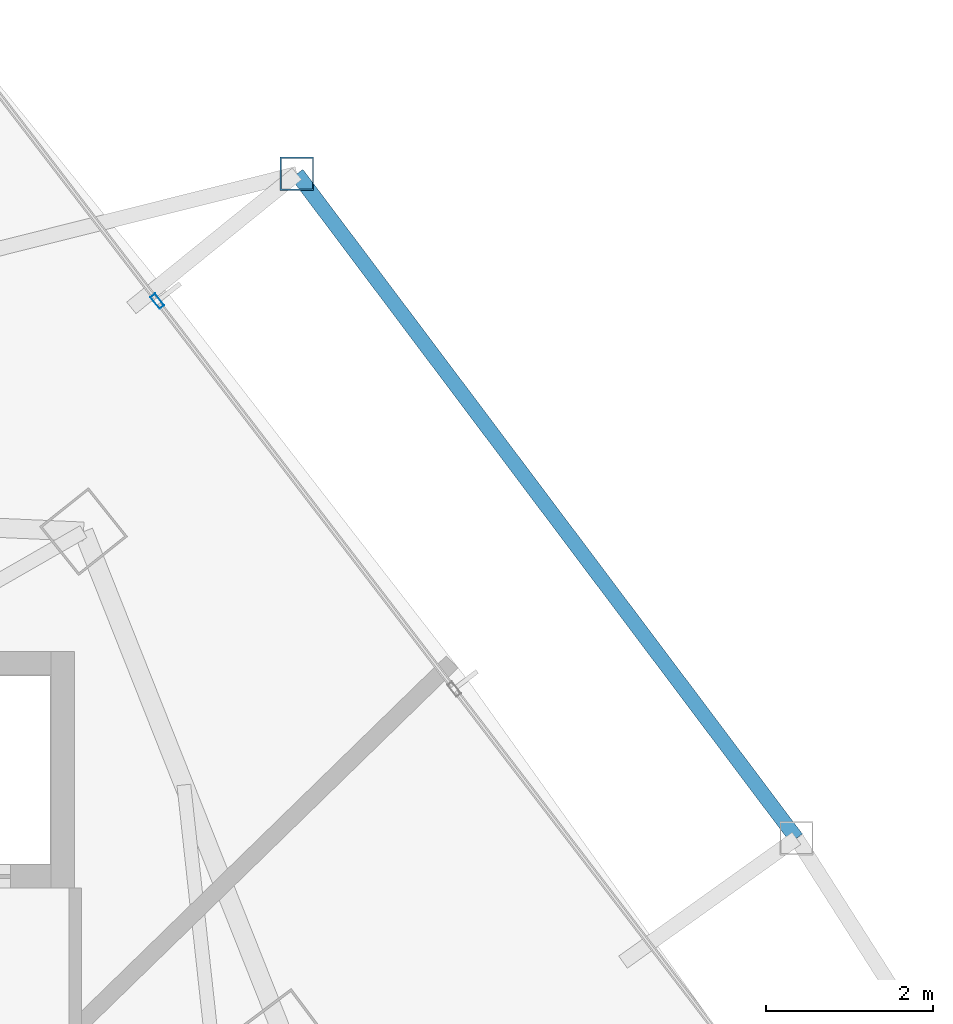
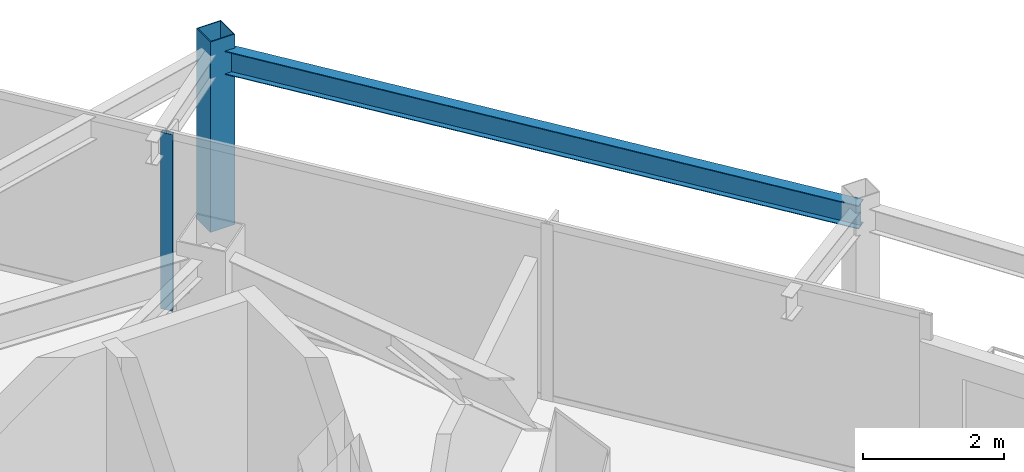
# One storey, part 24 of 31: 2 members, 1 beam, 1 element without a shape of its own.
"""IFC4 building model written with IfcOpenShell, lengths in metres."""

from ifc_helpers import new_model, si_unit, direction, frame, origin, origin_2d, place, context, subcontext, project, spatial, hollow_rectangle, i_section, extrude, material, layer, layer_set, material_profile, profile_set, type_object, element, aggregate, save


model = new_model("IFC4")

# Units and contexts
model_context = context("Model", 3, precision=1e-05, world=origin(), true_north=direction((0.0, 1.0)))
body_context = subcontext(model_context, "Body", "Model", "MODEL_VIEW")
ifc_project = project(units=[si_unit("LENGTHUNIT", "METRE"), si_unit("AREAUNIT", "SQUARE_METRE"), si_unit("VOLUMEUNIT", "CUBIC_METRE"), si_unit("PLANEANGLEUNIT", "RADIAN"), si_unit("MASSUNIT", "GRAM", prefix="KILO")], contexts=[model_context])

# Site, building, storey
site_placement = place(None, origin())
site = spatial("IfcSite", under=ifc_project, at=site_placement, CompositionType="ELEMENT")
building_placement = place(site_placement, origin())
building = spatial("IfcBuilding", under=site, at=building_placement, Name="Orvanel Arch Residences", CompositionType="ELEMENT")
storey_placement = place(building_placement, frame((0.0, 0.0, 106.699951171875)))
storey = spatial("IfcBuildingStorey", under=building, at=storey_placement, Name="L29", CompositionType="ELEMENT", Elevation=106.699951171875)

# Curtain wall, member
ifc_material_1 = material(Name="Bronze-anodised aluminium AA6063-T6", Category="aluminium")
ifc_layer = layer(ifc_material_1, 0.179931640625)
ifc_layer_set = layer_set([ifc_layer], Name="Bronze-anodised aluminium AA6063-T6")
curtain_wall_type = type_object("IfcCurtainWallType", Name="CW3-MID-SYS", PredefinedType="NOTDEFINED", material=ifc_layer_set)
curtain_wall_placement = place(storey_placement, origin())
curtain_wall = element("IfcCurtainWall", 1, at=curtain_wall_placement, inside=storey, type_object=curtain_wall_type, Name="L29 CW3-MID-SYS Unitised Curtain Wall", PredefinedType="NOTDEFINED")
ifc_material_profile_1 = material_profile(ifc_material_1, hollow_rectangle(XDim=0.070068359375, YDim=0.179931640625, WallThickness=0.00439453125, at=origin_2d()), Name="ALU180x70x4.5")
ifc_profile_set_1 = profile_set([ifc_material_profile_1], Name="Bronze-anodised aluminium AA6063-T6")
member_type_1 = type_object("IfcMemberType", Name="MUL-180x70", PredefinedType="MULLION", material=ifc_profile_set_1)
member_1_placement = place(storey_placement, frame((38.8330078125, 43.936767578125, 0.0), z_axis=(0.0, 0.0, 1.0), x_axis=(-0.794009853454, -0.607904887805, 0.0)))
member_1 = element("IfcMember", 2, at=member_1_placement, type_object=member_type_1, Name="CW-S3 mullion 3", PredefinedType="MULLION", context=body_context, shape_type="SweptSolid", body=[
    extrude(hollow_rectangle(XDim=0.070068359375, YDim=0.179931640625, WallThickness=0.00439453125, at=origin_2d()), origin(), (0.0, 0.0, 1.0), 3.06005859375),
])
aggregate(curtain_wall, [member_1])

# Beam
ifc_material_2 = material(Name="Structural steel AS/NZS 3679.1 Grade 300 (300 MPa)", Category="steel")
ifc_material_profile_2 = material_profile(ifc_material_2, i_section(OverallWidth=0.177978515625, OverallDepth=0.406005859375, WebThickness=0.0078125, FlangeThickness=0.0126953125, at=origin_2d()), Name="410UB59.7")
ifc_profile_set_2 = profile_set([ifc_material_profile_2], Name="Structural steel AS/NZS 3679.1 Grade 300 (300 MPa)")
beam_type = type_object("IfcBeamType", Name="OB-410UB-EXT", PredefinedType="SPANDREL", material=ifc_profile_set_2)
beam_placement = place(storey_placement, frame((46.486083984375, 37.5048828125, 2.85693359375), z_axis=(-0.600862966541, 0.799352047248, 0.0), x_axis=(-0.799352047248, -0.600862966541, 0.0)))
element("IfcBeam", 3, at=beam_placement, inside=storey, type_object=beam_type, Name="L29 Outer Perimeter Floor Ring Beam 11", PredefinedType="SPANDREL", context=body_context, shape_type="SweptSolid", body=[
    extrude(i_section(OverallWidth=0.177978515625, OverallDepth=0.406005859375, WebThickness=0.0078125, FlangeThickness=0.0126953125, at=origin_2d()), origin(), (0.0, 0.0, 1.0), 9.954345703125),
])

# Member
ifc_material_3 = material(Name="Structural steel AS/NZS 1163 C450L0 (Grade 450)", Category="steel")
ifc_material_profile_3 = material_profile(ifc_material_3, hollow_rectangle(XDim=0.39990234375, YDim=0.39990234375, WallThickness=0.01611328125, at=origin_2d()), Name="SHS400x400x16")
ifc_profile_set_3 = profile_set([ifc_material_profile_3], Name="Structural steel AS/NZS 1163 C450L0 (Grade 450)")
member_type_2 = type_object("IfcMemberType", Name="ST-400SHS-EXT", PredefinedType="STRUT", material=ifc_profile_set_3)
member_2_placement = place(storey_placement, frame((40.5048828125, 45.4619140625, 0.0), z_axis=(0.0, 0.0, 1.0), x_axis=(1.0, 0.0, 0.0)))
element("IfcMember", 4, at=member_2_placement, inside=storey, type_object=member_type_2, Name="L29 Outer Perimeter Frame Post 12", PredefinedType="STRUT", context=body_context, shape_type="SweptSolid", body=[
    extrude(hollow_rectangle(XDim=0.39990234375, YDim=0.39990234375, WallThickness=0.01611328125, at=origin_2d()), origin(), (0.0, 0.0, 1.0), 3.300048828125),
])

save(model, "model.ifc")
